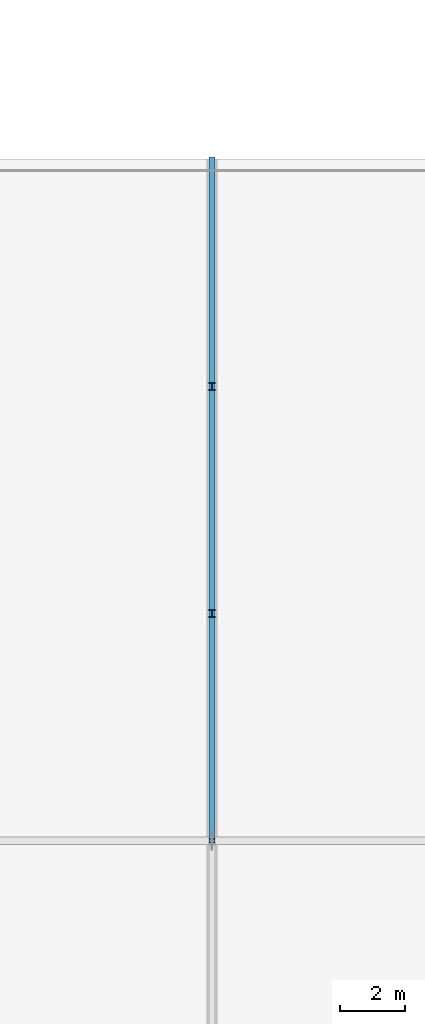
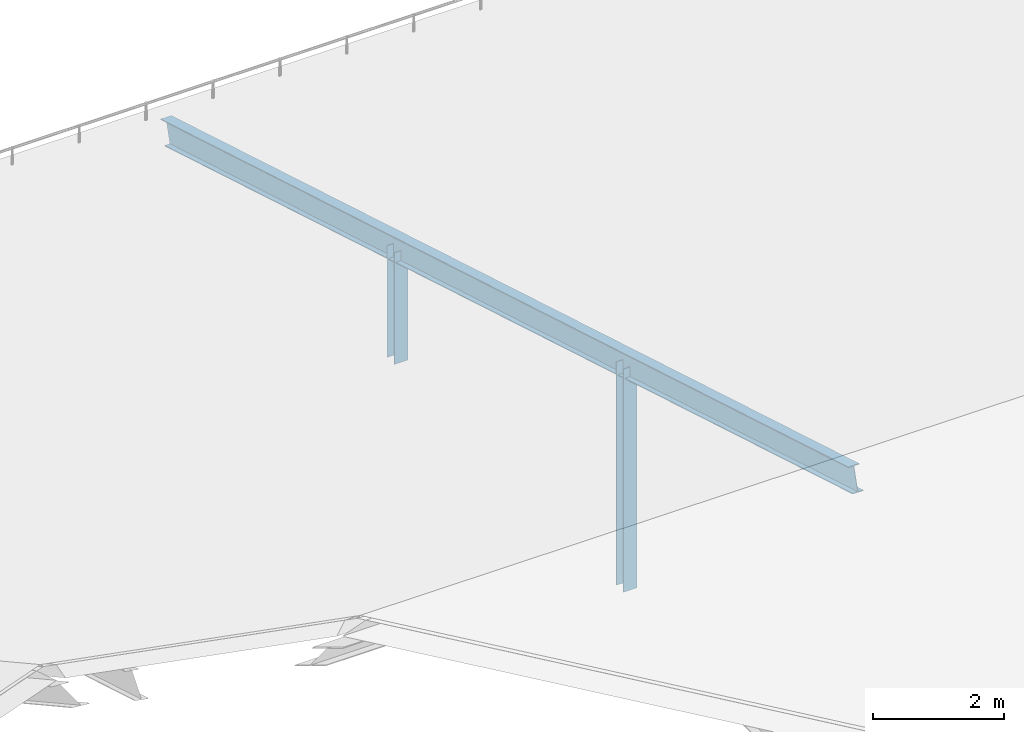
# One storey, part 48 of 204: 3 members.
"""IFC4 building model written with IfcOpenShell, lengths in metres."""

from ifc_helpers import new_model, si_unit, direction, frame, origin, origin_2d, place, context, subcontext, project, spatial, i_section, extrude, material, material_profile, profile_set, type_object, element, save


model = new_model("IFC4")

# Units and contexts
model_context = context("Model", 3, precision=1e-05, world=origin(), true_north=direction((0.0, 1.0)))
body_context = subcontext(model_context, "Body", "Model", "MODEL_VIEW")
ifc_project = project(units=[si_unit("LENGTHUNIT", "METRE"), si_unit("AREAUNIT", "SQUARE_METRE"), si_unit("VOLUMEUNIT", "CUBIC_METRE"), si_unit("PLANEANGLEUNIT", "RADIAN"), si_unit("MASSUNIT", "GRAM", prefix="KILO")], contexts=[model_context])

# Site, building, storey
site_placement = place(None, origin())
site = spatial("IfcSite", under=ifc_project, at=site_placement, CompositionType="ELEMENT")
building_placement = place(site_placement, origin())
building = spatial("IfcBuilding", under=site, at=building_placement, Name="Zilviju Railside Exhibition Hall", CompositionType="ELEMENT")
storey_placement = place(building_placement, frame((0.0, 0.0, 21.0)))
storey = spatial("IfcBuildingStorey", under=building, at=storey_placement, Name="RF", CompositionType="ELEMENT", Elevation=21.0)

# Members
ifc_material = material(Name="Steel S355J2", Category="steel")
ifc_material_profile_1 = material_profile(ifc_material, i_section(OverallWidth=0.239990234375, OverallDepth=0.22998046875, WebThickness=0.007568359375, FlangeThickness=0.011962890625, at=origin_2d()), Name="HEA 240")
ifc_profile_set_1 = profile_set([ifc_material_profile_1], Name="Steel S355J2")
member_type_1 = type_object("IfcMemberType", Name="TR-POST-HEA240", PredefinedType="POST", material=ifc_profile_set_1)
member_1_placement = place(storey_placement, frame((24.0, 64.0, -8.39990234375), z_axis=(0.0, 0.0, 1.0), x_axis=(1.0, 0.0, 0.0)))
element("IfcMember", 1, at=member_1_placement, inside=storey, type_object=member_type_1, Name="Congress Truss Web Post X=24.0", PredefinedType="POST", context=body_context, shape_type="SweptSolid", body=[
    extrude(i_section(OverallWidth=0.239990234375, OverallDepth=0.22998046875, WebThickness=0.007568359375, FlangeThickness=0.011962890625, at=origin_2d()), origin(), (0.0, 0.0, 1.0), 4.159912109375),
])
member_2_placement = place(storey_placement, frame((24.0, 71.0, -8.39990234375), z_axis=(0.0, 0.0, 1.0), x_axis=(1.0, 0.0, 0.0)))
element("IfcMember", 2, at=member_2_placement, inside=storey, type_object=member_type_1, Name="Congress Truss Web Post X=24.0", PredefinedType="POST", context=body_context, shape_type="SweptSolid", body=[
    extrude(i_section(OverallWidth=0.239990234375, OverallDepth=0.22998046875, WebThickness=0.007568359375, FlangeThickness=0.011962890625, at=origin_2d()), origin(), (0.0, 0.0, 1.0), 2.079833984375),
])
ifc_material_profile_2 = material_profile(ifc_material, i_section(OverallWidth=0.18994140625, OverallDepth=0.449951171875, WebThickness=0.009521484375, FlangeThickness=0.0146484375, at=origin_2d()), Name="IPE 450")
ifc_profile_set_2 = profile_set([ifc_material_profile_2], Name="Steel S355J2")
member_type_2 = type_object("IfcMemberType", Name="TR-RAF-IPE450", PredefinedType="RAFTER", material=ifc_profile_set_2)
member_3_placement = place(storey_placement, frame((24.0, 57.0, -2.14990234375), z_axis=(0.0, 0.958452078441, -0.285253594774), x_axis=(-1.0, 0.0, 0.0)))
element("IfcMember", 3, at=member_3_placement, inside=storey, type_object=member_type_2, Name="Congress Pitched Truss North Rafter X=24.0", PredefinedType="RAFTER", context=body_context, shape_type="SweptSolid", body=[
    extrude(i_section(OverallWidth=0.18994140625, OverallDepth=0.449951171875, WebThickness=0.009521484375, FlangeThickness=0.0146484375, at=origin_2d()), origin(), (0.0, 0.0, 1.0), 21.910400390625),
])

save(model, "model.ifc")
